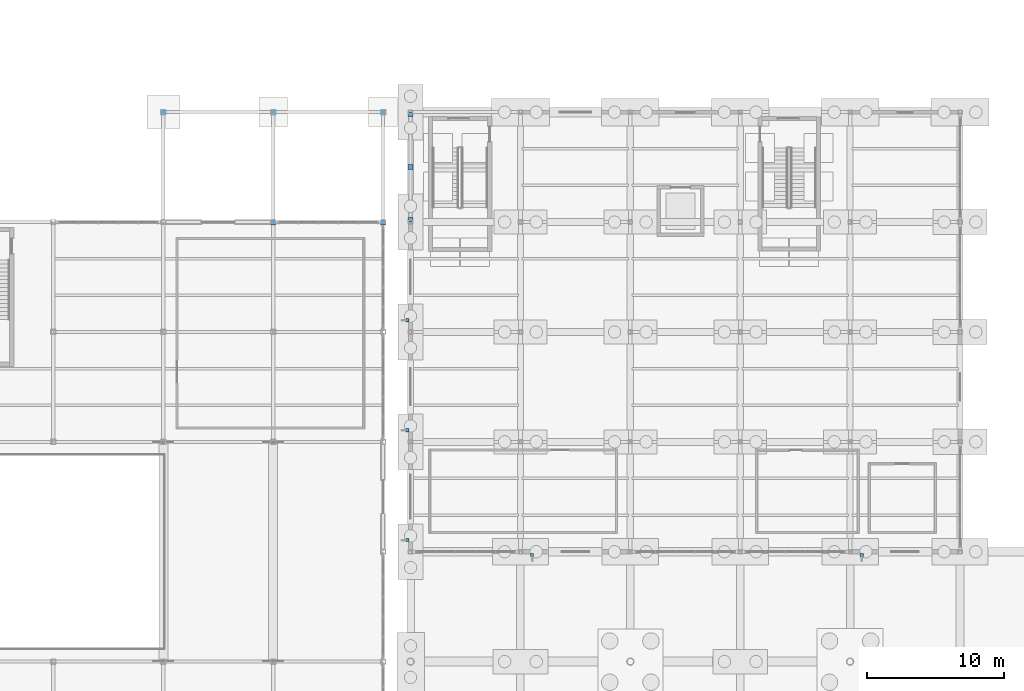
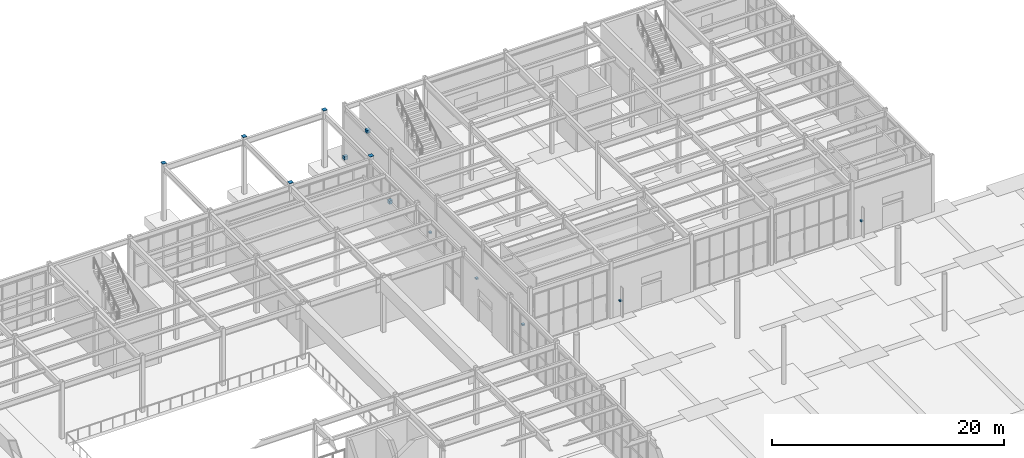
# One storey, part 69 of 82: 13 discrete accessories.
"""IFC4 building model written with IfcOpenShell, lengths in metres."""

from ifc_helpers import new_model, si_unit, direction, frame, origin, origin_2d, place, context, subcontext, project, spatial, rectangle, extrude, material, type_object, element, save


model = new_model("IFC4")

# Units and contexts
model_context = context("Model", 3, precision=1e-05, world=origin(), true_north=direction((0.0, 1.0)))
body_context = subcontext(model_context, "Body", "Model", "MODEL_VIEW")
ifc_project = project(units=[si_unit("LENGTHUNIT", "METRE"), si_unit("AREAUNIT", "SQUARE_METRE"), si_unit("VOLUMEUNIT", "CUBIC_METRE"), si_unit("PLANEANGLEUNIT", "RADIAN"), si_unit("MASSUNIT", "GRAM", prefix="KILO")], contexts=[model_context])

# Site, building, storey
site_placement = place(None, origin())
site = spatial("IfcSite", under=ifc_project, at=site_placement, CompositionType="ELEMENT")
building_placement = place(site_placement, origin())
building = spatial("IfcBuilding", under=site, at=building_placement, Name="Drelvath Fold Interchange", CompositionType="ELEMENT")
storey_placement = place(building_placement, origin())
storey = spatial("IfcBuildingStorey", under=building, at=storey_placement, Name="L00", CompositionType="ELEMENT", Elevation=0.0)

# Discrete accessories
ifc_material_1 = material(Name="Stainless Steel 316L", Category="steel")
discrete_accessory_type_1 = type_object("IfcDiscreteAccessoryType", Name="AC-BRK220", PredefinedType="BRACKET", material=ifc_material_1)
for number, where, z_axis, x_axis, name in (
    (1, (110.847900390625, 74.762939453125, 1.56982421875), (0.0, 0.0, 1.0), (0.0, 1.0, 0.0), "Solar fin bracket 5"),
    (2, (134.84912109375, 74.762939453125, 1.56982421875), (0.0, 0.0, 1.0), (0.0, 1.0, 0.0), "Solar fin bracket 6"),
    (3, (101.781982421875, 75.847900390625, 1.56982421875), (0.0, 0.0, 1.0), (1.0, 0.0, 0.0), "Solar fin bracket 7"),
    (4, (101.781982421875, 83.847900390625, 1.56982421875), (0.0, 0.0, 1.0), (1.0, 0.0, 0.0), "Solar fin bracket 8"),
    (5, (101.781982421875, 91.847900390625, 1.56982421875), (0.0, 0.0, 1.0), (1.0, 0.0, 0.0), "Solar fin bracket 9"),
):
    element("IfcDiscreteAccessory", number, at=place(storey_placement, frame(where, z_axis=z_axis, x_axis=x_axis)), inside=storey, type_object=discrete_accessory_type_1, Name=name, PredefinedType="BRACKET", context=body_context, shape_type="SweptSolid", body=[
        extrude(rectangle(XDim=0.239990234375, YDim=0.239990234375, at=origin_2d()), origin(), (0.0, 0.0, 1.0), 0.159912109375),
    ])
ifc_material_2 = material(Name="Steel ASTM A572 Grade 50", Category="steel")
discrete_accessory_type_2 = type_object("IfcDiscreteAccessoryType", Name="AC-CAP380", PredefinedType="BRACKET", material=ifc_material_2)
for number, where, z_axis, x_axis, name in (
    (6, (92.0, 99.0, 5.98974609375), (0.0, 0.0, 1.0), (1.0, 0.0, 0.0), "Welded hollow column end cap 13"),
    (7, (100.0, 99.0, 5.98974609375), (0.0, 0.0, 1.0), (1.0, 0.0, 0.0), "Welded hollow column end cap 14"),
    (8, (84.0, 107.0, 5.98974609375), (0.0, 0.0, 1.0), (1.0, 0.0, 0.0), "Welded hollow column end cap 526"),
    (9, (92.0, 107.0, 5.98974609375), (0.0, 0.0, 1.0), (1.0, 0.0, 0.0), "Welded hollow column end cap 527"),
    (10, (100.0, 107.0, 5.98974609375), (0.0, 0.0, 1.0), (1.0, 0.0, 0.0), "Welded hollow column end cap 528"),
):
    element("IfcDiscreteAccessory", number, at=place(storey_placement, frame(where, z_axis=z_axis, x_axis=x_axis)), inside=storey, type_object=discrete_accessory_type_2, Name=name, PredefinedType="BRACKET", context=body_context, shape_type="SweptSolid", body=[
        extrude(rectangle(XDim=0.39599609375, YDim=0.39599609375, at=origin_2d()), origin(), (0.0, 0.0, 1.0), 0.030029296875),
    ])
for number, where, z_axis, x_axis, name in (
    (11, (102.0, 99.157958984375, 0.19970703125), (0.0, 0.0, 1.0), (1.0, 0.0, 0.0), "Welded hollow member end cap 554"),
    (12, (102.0, 103.0029296875, 5.32373046875), (0.0, 0.0, 1.0), (1.0, 0.0, 0.0), "Welded hollow member end cap 555"),
    (13, (102.0, 106.842041015625, 0.19970703125), (0.0, 0.0, 1.0), (1.0, 0.0, 0.0), "Welded hollow member end cap 556"),
):
    element("IfcDiscreteAccessory", number, at=place(storey_placement, frame(where, z_axis=z_axis, x_axis=x_axis)), inside=storey, type_object=discrete_accessory_type_2, Name=name, PredefinedType="BRACKET", context=body_context, shape_type="SweptSolid", body=[
        extrude(rectangle(XDim=0.343017578125, YDim=0.343017578125, at=origin_2d()), origin(), (0.0, 0.0, 1.0), 0.343017578125),
    ])

save(model, "model.ifc")
